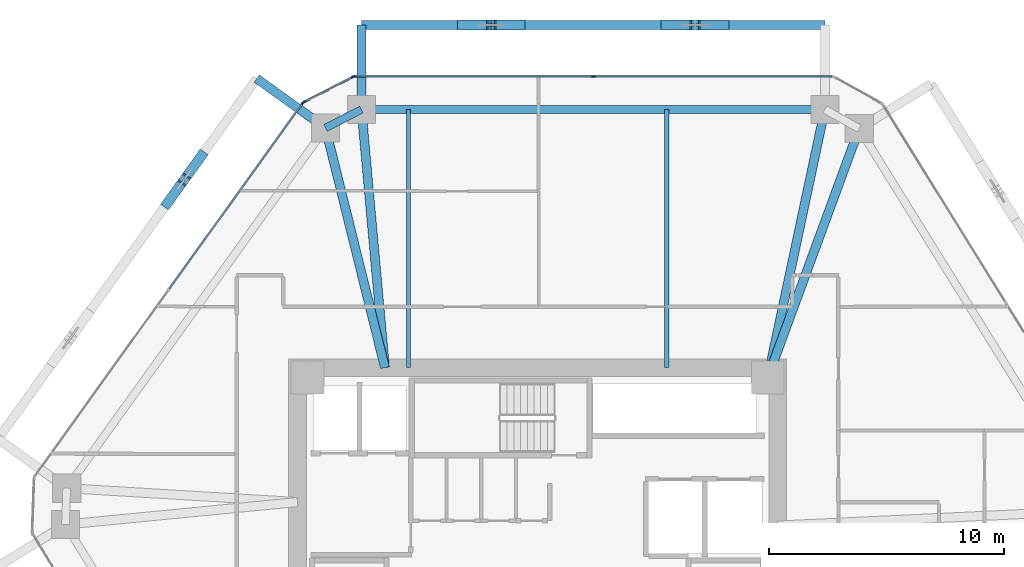
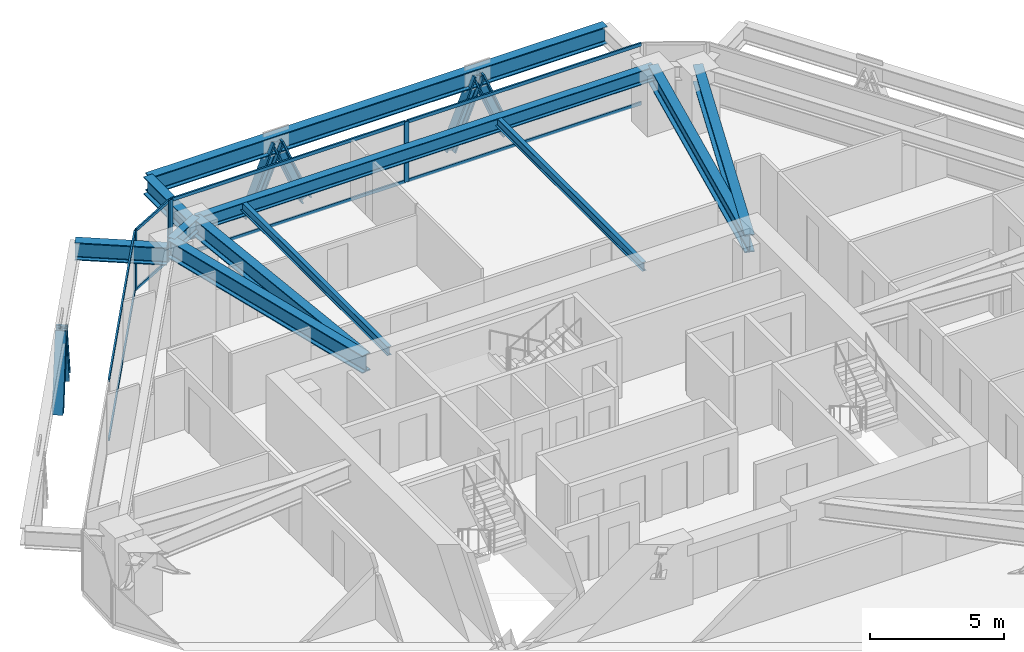
# One storey, part 7 of 17: 19 members, 11 beams, 3 elements without a shape of their own.
"""IFC4 building model written with IfcOpenShell, lengths in metres."""

from ifc_helpers import new_model, si_unit, direction, frame, origin, origin_2d, place, context, subcontext, project, spatial, rectangle, i_section, extrude, source, transform, mapped, material, layer, layer_set, material_profile, profile_set, type_object, type_shapes, element, aggregate, save


model = new_model("IFC4")

# Units and contexts
model_context = context("Model", 3, precision=1e-05, world=origin(), true_north=direction((0.0, 1.0)))
body_context = subcontext(model_context, "Body", "Model", "MODEL_VIEW")
ifc_project = project(units=[si_unit("LENGTHUNIT", "METRE"), si_unit("AREAUNIT", "SQUARE_METRE"), si_unit("VOLUMEUNIT", "CUBIC_METRE"), si_unit("PLANEANGLEUNIT", "RADIAN"), si_unit("MASSUNIT", "GRAM", prefix="KILO")], contexts=[model_context])

# Site, building, storey
site_placement = place(None, origin())
site = spatial("IfcSite", under=ifc_project, at=site_placement, CompositionType="ELEMENT")
building_placement = place(site_placement, origin())
building = spatial("IfcBuilding", under=site, at=building_placement, Name="Durnholm Broadcast Tower", CompositionType="ELEMENT")
storey_placement = place(building_placement, frame((0.0, 0.0, 137.10009765625)))
storey = spatial("IfcBuildingStorey", under=building, at=storey_placement, Name="L37", CompositionType="ELEMENT", Elevation=137.10009765625)

# Beams
ifc_material_1 = material(Name="Steel ASTM A992 Grade 50", Category="steel")
ifc_material_profile_1 = material_profile(ifc_material_1, i_section(OverallWidth=0.385009765625, OverallDepth=0.802978515625, WebThickness=0.023681640625, FlangeThickness=0.0419921875, FilletRadius=0.032958984375, at=origin_2d()), Name="W30X261")
ifc_profile_set_1 = profile_set([ifc_material_profile_1], Name="Steel ASTM A992 Grade 50")
beam_type_1 = type_object("IfcBeamType", Name="BM-EXO-TIE", PredefinedType="USERDEFINED", material=ifc_profile_set_1)
shared_shape_1 = source(origin(), body_context, "Body", "SweptSolid", [
    extrude(i_section(OverallWidth=0.385009765625, OverallDepth=0.802978515625, WebThickness=0.023681640625, FlangeThickness=0.0419921875, FilletRadius=0.032958984375, at=origin_2d()), origin(), (0.0, 0.0, 1.0), 3.4560546875),
])
beam_1_placement = place(storey_placement, frame((-7.498046875, 19.35888671875, 2.008544921875), z_axis=(0.0, 1.0, 0.0), x_axis=(-1.0, 0.0, 0.0)))
element("IfcBeam", 1, at=beam_1_placement, inside=storey, type_object=beam_type_1, Name="L37 exoskeleton stand-off tie bracket F4.2", ObjectType="GIRDER", PredefinedType="USERDEFINED", context=body_context, shape_type="MappedRepresentation", body=[
    mapped(shared_shape_1, transform((0.0, 0.0, 0.0), x_axis=(1.0, 0.0, 0.0), y_axis=(0.0, 1.0, 0.0), z_axis=(0.0, 0.0, 1.0), scale=1.0)),
])
ifc_material_profile_2 = material_profile(ifc_material_1, i_section(OverallWidth=0.3291015625, OverallDepth=0.635009765625, WebThickness=0.017822265625, FlangeThickness=0.031005859375, FilletRadius=0.02783203125, at=origin_2d()), Name="W24X162")
ifc_profile_set_2 = profile_set([ifc_material_profile_2], Name="Steel ASTM A992 Grade 50")
beam_type_2 = type_object("IfcBeamType", Name="STL-SP-W24X162", PredefinedType="SPANDREL", material=ifc_profile_set_2)
shared_shape_2 = source(origin(), body_context, "Body", "SweptSolid", [
    extrude(i_section(OverallWidth=0.3291015625, OverallDepth=0.635009765625, WebThickness=0.017822265625, FlangeThickness=0.031005859375, FilletRadius=0.02783203125, at=origin_2d()), origin(), (0.0, 0.0, 1.0), 1.723876953125),
])
beam_2_placement = place(storey_placement, frame((-9.031982421875, 18.42822265625, 2.427490234375), z_axis=(0.889762904339, 0.456423020959, 0.0), x_axis=(-0.456423020959, 0.889762904339, 0.0)))
element("IfcBeam", 2, at=beam_2_placement, inside=storey, type_object=beam_type_2, Name="L37 perimeter spandrel girder 04", PredefinedType="SPANDREL", context=body_context, shape_type="MappedRepresentation", body=[
    mapped(shared_shape_2, transform((0.0, 0.0, 0.0), x_axis=(1.0, 0.0, 0.0), y_axis=(0.0, 1.0, 0.0), z_axis=(0.0, 0.0, 1.0), scale=1.0)),
])
shared_shape_3 = source(origin(), body_context, "Body", "SweptSolid", [
    extrude(i_section(OverallWidth=0.3291015625, OverallDepth=0.635009765625, WebThickness=0.017822265625, FlangeThickness=0.031005859375, FilletRadius=0.02783203125, at=origin_2d()), origin(), (0.0, 0.0, 1.0), 19.72802734375),
])
type_shapes(beam_type_2, [shared_shape_2, shared_shape_3])
beam_3_placement = place(storey_placement, frame((-7.498046875, 19.215087890625, 2.427490234375), z_axis=(1.0, 0.0, 0.0), x_axis=(0.0, 1.0, 0.0)))
element("IfcBeam", 3, at=beam_3_placement, inside=storey, type_object=beam_type_2, Name="L37 perimeter spandrel girder 05", PredefinedType="SPANDREL", context=body_context, shape_type="MappedRepresentation", body=[
    mapped(shared_shape_3, transform((0.0, 0.0, 0.0), x_axis=(1.0, 0.0, 0.0), y_axis=(0.0, 1.0, 0.0), z_axis=(0.0, 0.0, 1.0), scale=1.0)),
])
ifc_material_profile_3 = material_profile(ifc_material_1, i_section(OverallWidth=0.385009765625, OverallDepth=0.802978515625, WebThickness=0.023681640625, FlangeThickness=0.0419921875, FilletRadius=0.032958984375, at=origin_2d()), Name="W30X261")
ifc_profile_set_3 = profile_set([ifc_material_profile_3], Name="Steel ASTM A992 Grade 50")
beam_type_3 = type_object("IfcBeamType", Name="STL-GR-W30X261", PredefinedType="USERDEFINED", material=ifc_profile_set_3)
shared_shape_4 = source(origin(), body_context, "Body", "SweptSolid", [
    extrude(i_section(OverallWidth=0.385009765625, OverallDepth=0.802978515625, WebThickness=0.023681640625, FlangeThickness=0.0419921875, FilletRadius=0.032958984375, at=origin_2d()), origin(), (0.0, 0.0, 1.0), 10.5126953125),
])
beam_4_placement = place(storey_placement, frame((-6.5, 8.22509765625, 2.343505859375), z_axis=(-0.240852230194, 0.970561797729, 0.0), x_axis=(-0.970561797729, -0.240852230194, 0.0)))
element("IfcBeam", 4, at=beam_4_placement, inside=storey, type_object=beam_type_3, Name="L37 radial primary floor girder 04", ObjectType="GIRDER", PredefinedType="USERDEFINED", context=body_context, shape_type="MappedRepresentation", body=[
    mapped(shared_shape_4, transform((0.0, 0.0, 0.0), x_axis=(1.0, 0.0, 0.0), y_axis=(0.0, 1.0, 0.0), z_axis=(0.0, 0.0, 1.0), scale=1.0)),
])
shared_shape_5 = source(origin(), body_context, "Body", "SweptSolid", [
    extrude(i_section(OverallWidth=0.385009765625, OverallDepth=0.802978515625, WebThickness=0.023681640625, FlangeThickness=0.0419921875, FilletRadius=0.032958984375, at=origin_2d()), origin(), (0.0, 0.0, 1.0), 11.03515625),
])
beam_5_placement = place(storey_placement, frame((-6.5, 8.22509765625, 2.343505859375), z_axis=(-0.090441991612, 0.995901725148, 0.0), x_axis=(-0.995901725148, -0.090441991612, 0.0)))
element("IfcBeam", 5, at=beam_5_placement, inside=storey, type_object=beam_type_3, Name="L37 radial primary floor girder 05", ObjectType="GIRDER", PredefinedType="USERDEFINED", context=body_context, shape_type="MappedRepresentation", body=[
    mapped(shared_shape_5, transform((0.0, 0.0, 0.0), x_axis=(1.0, 0.0, 0.0), y_axis=(0.0, 1.0, 0.0), z_axis=(0.0, 0.0, 1.0), scale=1.0)),
])
shared_shape_6 = source(origin(), body_context, "Body", "SweptSolid", [
    extrude(i_section(OverallWidth=0.385009765625, OverallDepth=0.802978515625, WebThickness=0.023681640625, FlangeThickness=0.0419921875, FilletRadius=0.032958984375, at=origin_2d()), origin(), (0.0, 0.0, 1.0), 11.6708984375),
])
beam_6_placement = place(storey_placement, frame((9.800048828125, 7.800048828125, 2.343505859375), z_axis=(0.208206004915, 0.97808499606, 0.0), x_axis=(-0.97808499606, 0.208206004915, 0.0)))
element("IfcBeam", 6, at=beam_6_placement, inside=storey, type_object=beam_type_3, Name="L37 radial primary floor girder 06", ObjectType="GIRDER", PredefinedType="USERDEFINED", context=body_context, shape_type="MappedRepresentation", body=[
    mapped(shared_shape_6, transform((0.0, 0.0, 0.0), x_axis=(1.0, 0.0, 0.0), y_axis=(0.0, 1.0, 0.0), z_axis=(0.0, 0.0, 1.0), scale=1.0)),
])
shared_shape_7 = source(origin(), body_context, "Body", "SweptSolid", [
    extrude(i_section(OverallWidth=0.385009765625, OverallDepth=0.802978515625, WebThickness=0.023681640625, FlangeThickness=0.0419921875, FilletRadius=0.032958984375, at=origin_2d()), origin(), (0.0, 0.0, 1.0), 11.293212890625),
])
type_shapes(beam_type_3, [shared_shape_4, shared_shape_5, shared_shape_6, shared_shape_7])
beam_7_placement = place(storey_placement, frame((9.800048828125, 7.800048828125, 2.343505859375), z_axis=(0.344640193759, 0.938734859716, 0.0), x_axis=(-0.938734859716, 0.344640193759, 0.0)))
element("IfcBeam", 7, at=beam_7_placement, inside=storey, type_object=beam_type_3, Name="L37 radial primary floor girder 07", ObjectType="GIRDER", PredefinedType="USERDEFINED", context=body_context, shape_type="MappedRepresentation", body=[
    mapped(shared_shape_7, transform((0.0, 0.0, 0.0), x_axis=(1.0, 0.0, 0.0), y_axis=(0.0, 1.0, 0.0), z_axis=(0.0, 0.0, 1.0), scale=1.0)),
])
ifc_material_profile_4 = material_profile(ifc_material_1, i_section(OverallWidth=0.177734375, OverallDepth=0.40673828125, WebThickness=0.0078125, FlangeThickness=0.0126953125, FilletRadius=0.01904296875, at=origin_2d()), Name="W16X40")
ifc_profile_set_4 = profile_set([ifc_material_profile_4], Name="Steel ASTM A992 Grade 50")
beam_type_4 = type_object("IfcBeamType", Name="STL-BJ-W16X40", PredefinedType="JOIST", material=ifc_profile_set_4)
shared_shape_8 = source(origin(), body_context, "Body", "SweptSolid", [
    extrude(i_section(OverallWidth=0.177734375, OverallDepth=0.40673828125, WebThickness=0.0078125, FlangeThickness=0.0126953125, FilletRadius=0.01904296875, at=origin_2d()), origin(), (0.0, 0.0, 1.0), 10.989990234375),
])
type_shapes(beam_type_4, [shared_shape_8])
for number, where, z_axis, x_axis, name in (
    (8, (-5.5, 8.22509765625, 2.54150390625), (0.0, 1.0, 0.0), (-1.0, 0.0, 0.0), "L37 secondary floor joist 3.2"),
    (9, (5.5, 8.22509765625, 2.54150390625), (0.0, 1.0, 0.0), (-1.0, 0.0, 0.0), "L37 secondary floor joist 4.2"),
):
    element("IfcBeam", number, at=place(storey_placement, frame(where, z_axis=z_axis, x_axis=x_axis)), inside=storey, type_object=beam_type_4, Name=name, PredefinedType="JOIST", context=body_context, shape_type="MappedRepresentation", body=[
        mapped(shared_shape_8, transform((0.0, 0.0, 0.0), x_axis=(1.0, 0.0, 0.0), y_axis=(0.0, 1.0, 0.0), z_axis=(0.0, 0.0, 1.0), scale=1.0)),
    ])
shared_shape_9 = source(origin(), body_context, "Body", "SweptSolid", [
    extrude(i_section(OverallWidth=0.385009765625, OverallDepth=0.802978515625, WebThickness=0.023681640625, FlangeThickness=0.0419921875, FilletRadius=0.032958984375, at=origin_2d()), origin(), (0.0, 0.0, 1.0), 19.72802734375),
])
beam_8_placement = place(storey_placement, frame((12.22998046875, 22.81494140625, 2.008544921875), z_axis=(-1.0, 0.0, 0.0), x_axis=(0.0, -1.0, 0.0)))
element("IfcBeam", 10, at=beam_8_placement, inside=storey, type_object=beam_type_1, Name="L37 exoskeleton collector spandrel F4", PredefinedType="SPANDREL", context=body_context, shape_type="MappedRepresentation", body=[
    mapped(shared_shape_9, transform((0.0, 0.0, 0.0), x_axis=(1.0, 0.0, 0.0), y_axis=(0.0, 1.0, 0.0), z_axis=(0.0, 0.0, 1.0), scale=1.0)),
])
shared_shape_10 = source(origin(), body_context, "Body", "SweptSolid", [
    extrude(i_section(OverallWidth=0.385009765625, OverallDepth=0.802978515625, WebThickness=0.023681640625, FlangeThickness=0.0419921875, FilletRadius=0.032958984375, at=origin_2d()), origin(), (0.0, 0.0, 1.0), 3.456298828125),
])
type_shapes(beam_type_1, [shared_shape_1, shared_shape_9, shared_shape_10])
beam_9_placement = place(storey_placement, frame((-9.14892578125, 18.51220703125, 2.008544921875), z_axis=(-0.812131479052, 0.583474473077, 0.0), x_axis=(-0.583474473077, -0.812131479052, 0.0)))
element("IfcBeam", 11, at=beam_9_placement, inside=storey, type_object=beam_type_1, Name="L37 exoskeleton stand-off tie bracket F5.1", ObjectType="GIRDER", PredefinedType="USERDEFINED", context=body_context, shape_type="MappedRepresentation", body=[
    mapped(shared_shape_10, transform((0.0, 0.0, 0.0), x_axis=(1.0, 0.0, 0.0), y_axis=(0.0, 1.0, 0.0), z_axis=(0.0, 0.0, 1.0), scale=1.0)),
])

# Members
ifc_material_2 = material(Name="Steel ASTM A913 Grade 65", Category="steel")
ifc_material_profile_5 = material_profile(ifc_material_2, i_section(OverallWidth=0.41845703125, OverallDepth=0.455078125, WebThickness=0.0419921875, FlangeThickness=0.067626953125, FilletRadius=0.030517578125, at=origin_2d()), Name="W14X370")
ifc_profile_set_5 = profile_set([ifc_material_profile_5], Name="Steel ASTM A913 Grade 65")
member_type_1 = type_object("IfcMemberType", Name="STL-DG-W14X370", PredefinedType="BRACE", material=ifc_profile_set_5)
shared_shape_11 = source(origin(), body_context, "Body", "SweptSolid", [
    extrude(i_section(OverallWidth=0.41845703125, OverallDepth=0.455078125, WebThickness=0.0419921875, FlangeThickness=0.067626953125, FilletRadius=0.030517578125, at=origin_2d()), origin(), (0.0, 0.0, 1.0), 3.243896484375),
])
for number, where, z_axis, x_axis, name in (
    (12, (7.93994140625, 22.81494140625, -0.991455078125), (-0.380378804119, 0.0, 0.924830776616), (0.0, -1.0, 0.0), "L37 stand-off diagrid brace F4.D1.1"),
    (13, (-0.740478515625, 22.81494140625, -0.991455078125), (-0.380378804119, 0.0, 0.924830776616), (0.0, -1.0, 0.0), "L37 stand-off diagrid brace F4.D2.1"),
    (14, (-15.7607421875, 15.232421875, -0.991455078125), (0.22195255441, 0.308882089963, 0.924839941877), (-0.812085698931, 0.583538188632, 0.0), "L37 stand-off diagrid brace F5.D1.2"),
):
    element("IfcMember", number, at=place(storey_placement, frame(where, z_axis=z_axis, x_axis=x_axis)), inside=storey, type_object=member_type_1, Name=name, PredefinedType="BRACE", context=body_context, shape_type="MappedRepresentation", body=[
        mapped(shared_shape_11, transform((0.0, 0.0, 0.0), x_axis=(1.0, 0.0, 0.0), y_axis=(0.0, 1.0, 0.0), z_axis=(0.0, 0.0, 1.0), scale=1.0)),
    ])
shared_shape_12 = source(origin(), body_context, "Body", "SweptSolid", [
    extrude(i_section(OverallWidth=0.41845703125, OverallDepth=0.455078125, WebThickness=0.0419921875, FlangeThickness=0.067626953125, FilletRadius=0.030517578125, at=origin_2d()), origin(), (0.0, 0.0, 1.0), 3.24365234375),
])
type_shapes(member_type_1, [shared_shape_11, shared_shape_12])
for number, where, z_axis, x_axis, name in (
    (15, (5.472412109375, 22.81494140625, -0.991455078125), (0.380314428078, 0.0, 0.924857251578), (0.0, 1.0, 0.0), "L37 stand-off diagrid brace F4.D1.2"),
    (16, (-3.2080078125, 22.81494140625, -0.991455078125), (0.380314428078, 0.0, 0.924857251578), (0.0, 1.0, 0.0), "L37 stand-off diagrid brace F4.D2.2"),
    (17, (-14.321044921875, 17.236328125, -0.991455078125), (-0.22188099666, -0.308887249081, 0.924855389062), (0.812179469647, -0.583407669717, 0.0), "L37 stand-off diagrid brace F5.D1.1"),
):
    element("IfcMember", number, at=place(storey_placement, frame(where, z_axis=z_axis, x_axis=x_axis)), inside=storey, type_object=member_type_1, Name=name, PredefinedType="BRACE", context=body_context, shape_type="MappedRepresentation", body=[
        mapped(shared_shape_12, transform((0.0, 0.0, 0.0), x_axis=(1.0, 0.0, 0.0), y_axis=(0.0, 1.0, 0.0), z_axis=(0.0, 0.0, 1.0), scale=1.0)),
    ])

# Curtain wall, members
ifc_material_3 = material(Name="Aluminium and Solar Control IGU", Category="aluminium")
ifc_layer_1 = layer(ifc_material_3, 0.1650390625)
ifc_layer_set_1 = layer_set([ifc_layer_1], Name="Aluminium and Solar Control IGU")
curtain_wall_type_1 = type_object("IfcCurtainWallType", Name="CW-SYS-5", PredefinedType="NOTDEFINED", material=ifc_layer_set_1)
curtain_wall_1_placement = place(storey_placement, origin())
curtain_wall_1 = element("IfcCurtainWall", 18, at=curtain_wall_1_placement, inside=storey, type_object=curtain_wall_type_1, Name="L37 curtain wall CW-CORNER CW-L37-CRN-03", PredefinedType="NOTDEFINED")
ifc_material_4 = material(Name="Aluminium 6063-T6", Category="aluminium")
ifc_material_profile_6 = material_profile(ifc_material_4, rectangle(XDim=0.06494140625, YDim=0.1650390625, at=origin_2d()), Name="CWM65X165")
ifc_profile_set_6 = profile_set([ifc_material_profile_6], Name="Aluminium 6063-T6")
member_type_2 = type_object("IfcMemberType", Name="CW-SYS-5-MUL", PredefinedType="MULLION", material=ifc_profile_set_6)
shared_shape_13 = source(origin(), body_context, "Body", "SweptSolid", [
    extrude(rectangle(XDim=0.06494140625, YDim=0.1650390625, at=origin_2d()), origin(), (0.0, 0.0, 1.0), 2.760009765625),
])
type_shapes(member_type_2, [shared_shape_13])
member_1_placement = place(storey_placement, frame((-9.94287109375, 19.534423828125, 0.0), z_axis=(0.0, 0.0, 1.0), x_axis=(-0.45637332267, 0.889788396392, 0.0)))
member_1 = element("IfcMember", 19, at=member_1_placement, type_object=member_type_2, Name="CW-CORNER mullion 1", PredefinedType="MULLION", context=body_context, shape_type="MappedRepresentation", body=[
    mapped(shared_shape_13, transform((0.0, 0.0, 0.0), x_axis=(1.0, 0.0, 0.0), y_axis=(0.0, 1.0, 0.0), z_axis=(0.0, 0.0, 1.0), scale=1.0)),
])
member_2_placement = place(storey_placement, frame((-7.865234375, 20.60009765625, 0.0), z_axis=(0.0, 0.0, 1.0), x_axis=(-0.45637332267, 0.889788396392, 0.0)))
member_2 = element("IfcMember", 20, at=member_2_placement, type_object=member_type_2, Name="CW-CORNER mullion 2", PredefinedType="MULLION", context=body_context, shape_type="MappedRepresentation", body=[
    mapped(shared_shape_13, transform((0.0, 0.0, 0.0), x_axis=(1.0, 0.0, 0.0), y_axis=(0.0, 1.0, 0.0), z_axis=(0.0, 0.0, 1.0), scale=1.0)),
])

# Curtain wall, member
ifc_layer_2 = layer(ifc_material_3, 0.18994140625)
ifc_layer_set_2 = layer_set([ifc_layer_2], Name="Aluminium and Solar Control IGU")
curtain_wall_type_2 = type_object("IfcCurtainWallType", Name="CW-SYS-3", PredefinedType="NOTDEFINED", material=ifc_layer_set_2)
curtain_wall_2_placement = place(storey_placement, origin())
curtain_wall_2 = element("IfcCurtainWall", 21, at=curtain_wall_2_placement, inside=storey, type_object=curtain_wall_type_2, Name="L37 curtain wall CW-Z12-VIS CW-L37-F02", PredefinedType="NOTDEFINED")
ifc_material_profile_7 = material_profile(ifc_material_4, rectangle(XDim=0.070068359375, YDim=0.18994140625, at=origin_2d()), Name="CWM70X190")
ifc_profile_set_7 = profile_set([ifc_material_profile_7], Name="Aluminium 6063-T6")
member_type_3 = type_object("IfcMemberType", Name="CW-SYS-3-MUL", PredefinedType="MULLION", material=ifc_profile_set_7)
shared_shape_14 = source(origin(), body_context, "Body", "SweptSolid", [
    extrude(rectangle(XDim=0.070068359375, YDim=0.18994140625, at=origin_2d()), origin(), (0.0, 0.0, 1.0), 2.760009765625),
])
type_shapes(member_type_3, [shared_shape_14])
member_3_placement = place(storey_placement, frame((-9.9921875, 19.4912109375, 0.0), z_axis=(0.0, 0.0, 1.0), x_axis=(-0.812152312759, 0.583445473786, 0.0)))
member_3 = element("IfcMember", 22, at=member_3_placement, type_object=member_type_3, Name="CW-Z12-VIS mullion 3", PredefinedType="MULLION", context=body_context, shape_type="MappedRepresentation", body=[
    mapped(shared_shape_14, transform((0.0, 0.0, 0.0), x_axis=(1.0, 0.0, 0.0), y_axis=(0.0, 1.0, 0.0), z_axis=(0.0, 0.0, 1.0), scale=1.0)),
])

# Curtain wall, members
curtain_wall_3_placement = place(storey_placement, origin())
curtain_wall_3 = element("IfcCurtainWall", 23, at=curtain_wall_3_placement, inside=storey, type_object=curtain_wall_type_2, Name="L37 curtain wall CW-Z12-VIS CW-L37-F04", PredefinedType="NOTDEFINED")
member_4_placement = place(storey_placement, frame((-7.80126953125, 20.614990234375, 0.0), z_axis=(0.0, 0.0, 1.0), x_axis=(0.0, 1.0, 0.0)))
member_4 = element("IfcMember", 24, at=member_4_placement, type_object=member_type_3, Name="CW-Z12-VIS mullion 1", PredefinedType="MULLION", context=body_context, shape_type="MappedRepresentation", body=[
    mapped(shared_shape_14, transform((0.0, 0.0, 0.0), x_axis=(1.0, 0.0, 0.0), y_axis=(0.0, 1.0, 0.0), z_axis=(0.0, 0.0, 1.0), scale=1.0)),
])
member_5_placement = place(storey_placement, frame((2.37841796875, 20.614990234375, 0.0), z_axis=(0.0, 0.0, 1.0), x_axis=(0.0, 1.0, 0.0)))
member_5 = element("IfcMember", 25, at=member_5_placement, type_object=member_type_3, Name="CW-Z12-VIS mullion 2", PredefinedType="MULLION", context=body_context, shape_type="MappedRepresentation", body=[
    mapped(shared_shape_14, transform((0.0, 0.0, 0.0), x_axis=(1.0, 0.0, 0.0), y_axis=(0.0, 1.0, 0.0), z_axis=(0.0, 0.0, 1.0), scale=1.0)),
])

# Member
ifc_material_profile_8 = material_profile(ifc_material_4, rectangle(XDim=0.06494140625, YDim=0.1298828125, at=origin_2d()), Name="CWT65X130")
ifc_profile_set_8 = profile_set([ifc_material_profile_8], Name="Aluminium 6063-T6")
member_type_4 = type_object("IfcMemberType", Name="CW-SYS-5-TRN", PredefinedType="USERDEFINED", material=ifc_profile_set_8)
shared_shape_15 = source(origin(), body_context, "Body", "SweptSolid", [
    extrude(rectangle(XDim=0.06494140625, YDim=0.1298828125, at=origin_2d()), origin(), (0.0, 0.0, 1.0), 2.27001953125),
])
type_shapes(member_type_4, [shared_shape_15])
member_6_placement = place(storey_placement, frame((-9.913818359375, 19.54931640625, 0.032470703125), z_axis=(0.889754750021, 0.456438916849, 0.0), x_axis=(-0.456438916849, 0.889754750021, 0.0)))
member_6 = element("IfcMember", 26, at=member_6_placement, type_object=member_type_4, Name="CW-CORNER transom 1.1", ObjectType="TRANSOM", PredefinedType="USERDEFINED", context=body_context, shape_type="MappedRepresentation", body=[
    mapped(shared_shape_15, transform((0.0, 0.0, 0.0), x_axis=(1.0, 0.0, 0.0), y_axis=(0.0, 1.0, 0.0), z_axis=(0.0, 0.0, 1.0), scale=1.0)),
])

member_7_placement = place(storey_placement, frame((-9.913818359375, 19.54931640625, 2.727294921875), z_axis=(0.889754750021, 0.456438916849, 0.0), x_axis=(-0.456438916849, 0.889754750021, 0.0)))
member_7 = element("IfcMember", 27, at=member_7_placement, type_object=member_type_4, Name="CW-CORNER transom 1.2", ObjectType="TRANSOM", PredefinedType="USERDEFINED", context=body_context, shape_type="MappedRepresentation", body=[
    mapped(shared_shape_15, transform((0.0, 0.0, 0.0), x_axis=(1.0, 0.0, 0.0), y_axis=(0.0, 1.0, 0.0), z_axis=(0.0, 0.0, 1.0), scale=1.0)),
])

aggregate(curtain_wall_1, [member_1, member_2, member_6, member_7])

ifc_material_profile_9 = material_profile(ifc_material_4, rectangle(XDim=0.070068359375, YDim=0.14990234375, at=origin_2d()), Name="CWT70X150")
ifc_profile_set_9 = profile_set([ifc_material_profile_9], Name="Aluminium 6063-T6")
member_type_5 = type_object("IfcMemberType", Name="CW-SYS-3-TRN", PredefinedType="USERDEFINED", material=ifc_profile_set_9)
shared_shape_16 = source(origin(), body_context, "Body", "SweptSolid", [
    extrude(rectangle(XDim=0.070068359375, YDim=0.14990234375, at=origin_2d()), origin(), (0.0, 0.0, 1.0), 9.71875),
])
member_8_placement = place(storey_placement, frame((-15.682861328125, 11.56982421875, 0.034912109375), z_axis=(0.583450726174, 0.812148539448, 0.0), x_axis=(-0.812148539448, 0.583450726174, 0.0)))
member_8 = element("IfcMember", 28, at=member_8_placement, type_object=member_type_5, Name="CW-Z12-VIS transom 2.1", ObjectType="TRANSOM", PredefinedType="USERDEFINED", context=body_context, shape_type="MappedRepresentation", body=[
    mapped(shared_shape_16, transform((0.0, 0.0, 0.0), x_axis=(1.0, 0.0, 0.0), y_axis=(0.0, 1.0, 0.0), z_axis=(0.0, 0.0, 1.0), scale=1.0)),
])

member_9_placement = place(storey_placement, frame((-15.682861328125, 11.56982421875, 2.724853515625), z_axis=(0.583450726174, 0.812148539448, 0.0), x_axis=(-0.812148539448, 0.583450726174, 0.0)))
member_9 = element("IfcMember", 29, at=member_9_placement, type_object=member_type_5, Name="CW-Z12-VIS transom 2.2", ObjectType="TRANSOM", PredefinedType="USERDEFINED", context=body_context, shape_type="MappedRepresentation", body=[
    mapped(shared_shape_16, transform((0.0, 0.0, 0.0), x_axis=(1.0, 0.0, 0.0), y_axis=(0.0, 1.0, 0.0), z_axis=(0.0, 0.0, 1.0), scale=1.0)),
])

aggregate(curtain_wall_2, [member_3, member_8, member_9])

shared_shape_17 = source(origin(), body_context, "Body", "SweptSolid", [
    extrude(rectangle(XDim=0.070068359375, YDim=0.14990234375, at=origin_2d()), origin(), (0.0, 0.0, 1.0), 10.109619140625),
])
type_shapes(member_type_5, [shared_shape_16, shared_shape_17])
member_10_placement = place(storey_placement, frame((-7.76611328125, 20.614990234375, 0.034912109375), z_axis=(1.0, 0.0, 0.0), x_axis=(0.0, 1.0, 0.0)))
member_10 = element("IfcMember", 30, at=member_10_placement, type_object=member_type_5, Name="CW-Z12-VIS transom 1.1", ObjectType="TRANSOM", PredefinedType="USERDEFINED", context=body_context, shape_type="MappedRepresentation", body=[
    mapped(shared_shape_17, transform((0.0, 0.0, 0.0), x_axis=(1.0, 0.0, 0.0), y_axis=(0.0, 1.0, 0.0), z_axis=(0.0, 0.0, 1.0), scale=1.0)),
])

member_11_placement = place(storey_placement, frame((-7.76611328125, 20.614990234375, 2.724853515625), z_axis=(1.0, 0.0, 0.0), x_axis=(0.0, 1.0, 0.0)))
member_11 = element("IfcMember", 31, at=member_11_placement, type_object=member_type_5, Name="CW-Z12-VIS transom 1.2", ObjectType="TRANSOM", PredefinedType="USERDEFINED", context=body_context, shape_type="MappedRepresentation", body=[
    mapped(shared_shape_17, transform((0.0, 0.0, 0.0), x_axis=(1.0, 0.0, 0.0), y_axis=(0.0, 1.0, 0.0), z_axis=(0.0, 0.0, 1.0), scale=1.0)),
])

member_12_placement = place(storey_placement, frame((2.41357421875, 20.614990234375, 0.034912109375), z_axis=(1.0, 0.0, 0.0), x_axis=(0.0, 1.0, 0.0)))
member_12 = element("IfcMember", 32, at=member_12_placement, type_object=member_type_5, Name="CW-Z12-VIS transom 2.1", ObjectType="TRANSOM", PredefinedType="USERDEFINED", context=body_context, shape_type="MappedRepresentation", body=[
    mapped(shared_shape_17, transform((0.0, 0.0, 0.0), x_axis=(1.0, 0.0, 0.0), y_axis=(0.0, 1.0, 0.0), z_axis=(0.0, 0.0, 1.0), scale=1.0)),
])

member_13_placement = place(storey_placement, frame((2.41357421875, 20.614990234375, 2.724853515625), z_axis=(1.0, 0.0, 0.0), x_axis=(0.0, 1.0, 0.0)))
member_13 = element("IfcMember", 33, at=member_13_placement, type_object=member_type_5, Name="CW-Z12-VIS transom 2.2", ObjectType="TRANSOM", PredefinedType="USERDEFINED", context=body_context, shape_type="MappedRepresentation", body=[
    mapped(shared_shape_17, transform((0.0, 0.0, 0.0), x_axis=(1.0, 0.0, 0.0), y_axis=(0.0, 1.0, 0.0), z_axis=(0.0, 0.0, 1.0), scale=1.0)),
])

aggregate(curtain_wall_3, [member_4, member_5, member_10, member_11, member_12, member_13])

save(model, "model.ifc")
